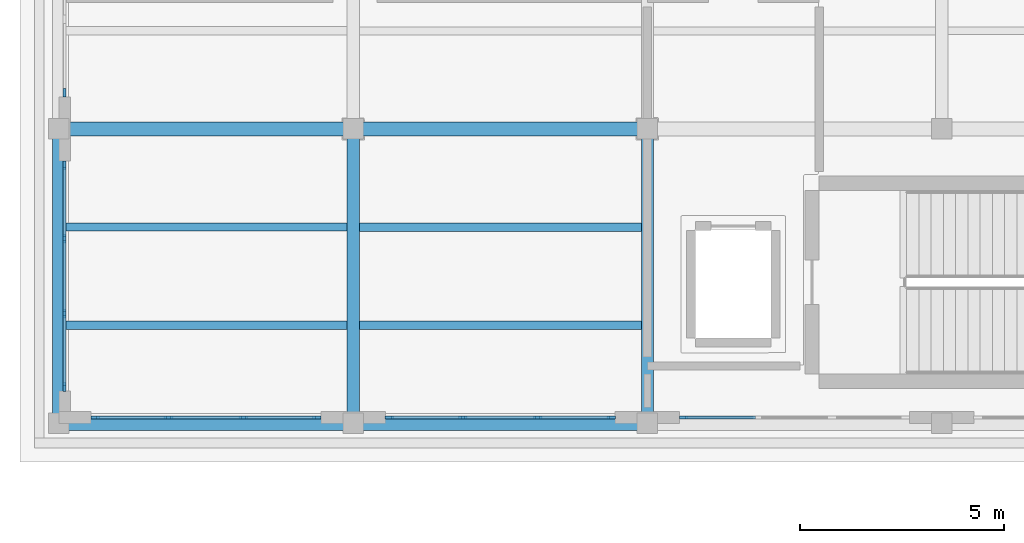
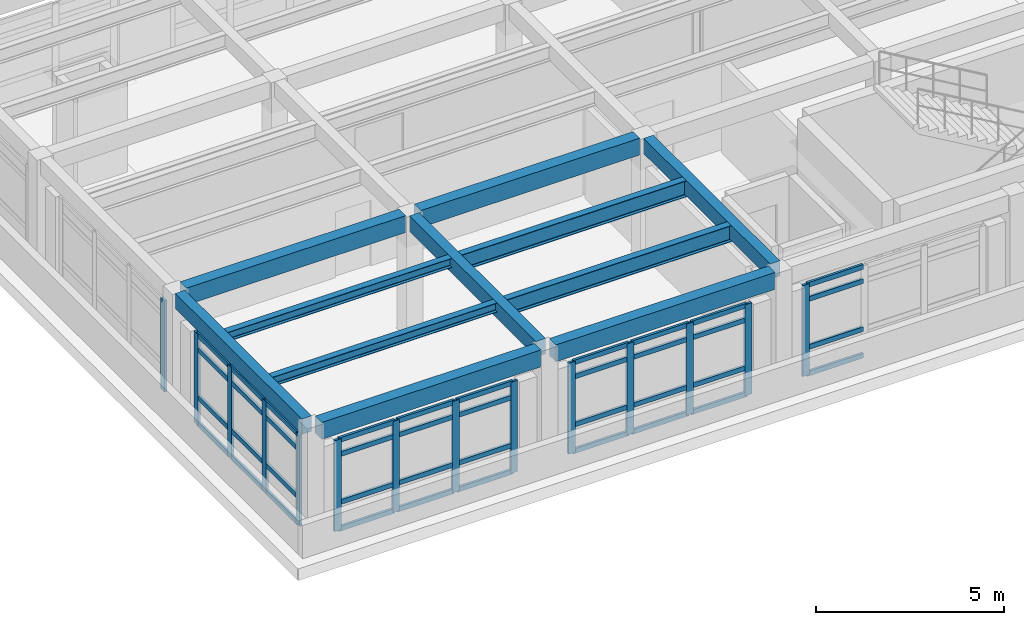
# One storey, part 2 of 20: 54 members, 11 beams, 5 elements without a shape of their own.
"""IFC4 building model written with IfcOpenShell, lengths in metres."""

from ifc_helpers import new_model, si_unit, direction, frame, origin, origin_2d, place, context, subcontext, project, spatial, rectangle, i_section, extrude, material, layer, layer_set, material_profile, profile_set, type_object, element, aggregate, save


model = new_model("IFC4")

# Units and contexts
model_context = context("Model", 3, precision=1e-05, world=origin(), true_north=direction((0.0, 1.0)))
body_context = subcontext(model_context, "Body", "Model", "MODEL_VIEW")
ifc_project = project(units=[si_unit("LENGTHUNIT", "METRE"), si_unit("AREAUNIT", "SQUARE_METRE"), si_unit("VOLUMEUNIT", "CUBIC_METRE"), si_unit("PLANEANGLEUNIT", "RADIAN"), si_unit("MASSUNIT", "GRAM", prefix="KILO")], contexts=[model_context])

# Site, building, storey
site_placement = place(None, origin())
site = spatial("IfcSite", under=ifc_project, at=site_placement, CompositionType="ELEMENT")
building_placement = place(site_placement, origin())
building = spatial("IfcBuilding", under=site, at=building_placement, Name="Solenvale Faculty of Natural Sciences", CompositionType="ELEMENT")
storey_placement = place(building_placement, frame((0.0, 0.0, 35.39990234375)))
storey = spatial("IfcBuildingStorey", under=building, at=storey_placement, Name="L08", CompositionType="ELEMENT", Elevation=35.39990234375)

# Beams
ifc_material_1 = material(Name="Concrete 40 MPa", Category="concrete")
ifc_material_profile_1 = material_profile(ifc_material_1, rectangle(XDim=0.300048828125, YDim=0.5, at=origin_2d()), Name="RC-BM-300x500")
ifc_profile_set_1 = profile_set([ifc_material_profile_1], Name="Concrete 40 MPa")
beam_type_1 = type_object("IfcBeamType", Name="BM-RC-300x500", PredefinedType="BEAM", material=ifc_profile_set_1)
for number, where, z_axis, x_axis, name in (
    (1, (86.39990234375, 93.830078125, 3.670166015625), (0.0, 1.0, 0.0), (-1.0, 0.0, 0.0), "L08 Y-Girder X86.4 (93.6..100.8)"),
    (2, (93.60009765625, 93.830078125, 3.670166015625), (0.0, 1.0, 0.0), (-1.0, 0.0, 0.0), "L08 Y-Girder X93.6 (93.6..100.8)"),
    (3, (100.800048828125, 93.830078125, 3.670166015625), (0.0, 1.0, 0.0), (-1.0, 0.0, 0.0), "L08 Y-Girder X100.8 (93.6..100.8)"),
):
    element("IfcBeam", number, at=place(storey_placement, frame(where, z_axis=z_axis, x_axis=x_axis)), inside=storey, type_object=beam_type_1, Name=name, PredefinedType="BEAM", context=body_context, shape_type="SweptSolid", body=[
        extrude(rectangle(XDim=0.300048828125, YDim=0.5, at=origin_2d()), origin(), (0.0, 0.0, 1.0), 6.739990234375),
    ])
ifc_material_profile_2 = material_profile(ifc_material_1, rectangle(XDim=0.35009765625, YDim=0.550048828125, at=origin_2d()), Name="RC-BM-350x550")
ifc_profile_set_2 = profile_set([ifc_material_profile_2], Name="Concrete 40 MPa")
beam_type_2 = type_object("IfcBeamType", Name="BM-RC-350x550", PredefinedType="BEAM", material=ifc_profile_set_2)
beam_1_placement = place(storey_placement, frame((86.6298828125, 93.60009765625, 3.64501953125), z_axis=(1.0, 0.0, 0.0), x_axis=(0.0, 1.0, 0.0)))
element("IfcBeam", 4, at=beam_1_placement, inside=storey, type_object=beam_type_2, Name="L08 X-Girder Y93.6 (86.4..93.6)", PredefinedType="BEAM", context=body_context, shape_type="SweptSolid", body=[
    extrude(rectangle(XDim=0.35009765625, YDim=0.550048828125, at=origin_2d()), origin(), (0.0, 0.0, 1.0), 6.740234375),
])
beam_2_placement = place(storey_placement, frame((93.830078125, 93.60009765625, 3.64501953125), z_axis=(1.0, 0.0, 0.0), x_axis=(0.0, 1.0, 0.0)))
element("IfcBeam", 5, at=beam_2_placement, inside=storey, type_object=beam_type_2, Name="L08 X-Girder Y93.6 (93.6..100.8)", PredefinedType="BEAM", context=body_context, shape_type="SweptSolid", body=[
    extrude(rectangle(XDim=0.35009765625, YDim=0.550048828125, at=origin_2d()), origin(), (0.0, 0.0, 1.0), 6.739990234375),
])
beam_3_placement = place(storey_placement, frame((86.6298828125, 100.800048828125, 3.64501953125), z_axis=(1.0, 0.0, 0.0), x_axis=(0.0, 1.0, 0.0)))
element("IfcBeam", 6, at=beam_3_placement, inside=storey, type_object=beam_type_2, Name="L08 X-Girder Y100.8 (86.4..93.6)", PredefinedType="BEAM", context=body_context, shape_type="SweptSolid", body=[
    extrude(rectangle(XDim=0.35009765625, YDim=0.550048828125, at=origin_2d()), origin(), (0.0, 0.0, 1.0), 6.740234375),
])
beam_4_placement = place(storey_placement, frame((93.830078125, 100.800048828125, 3.64501953125), z_axis=(1.0, 0.0, 0.0), x_axis=(0.0, 1.0, 0.0)))
element("IfcBeam", 7, at=beam_4_placement, inside=storey, type_object=beam_type_2, Name="L08 X-Girder Y100.8 (93.6..100.8)", PredefinedType="BEAM", context=body_context, shape_type="SweptSolid", body=[
    extrude(rectangle(XDim=0.35009765625, YDim=0.550048828125, at=origin_2d()), origin(), (0.0, 0.0, 1.0), 6.739990234375),
])
ifc_material_2 = material(Name="Steel S355", Category="steel")
ifc_material_profile_3 = material_profile(ifc_material_2, i_section(OverallWidth=0.202880859375, OverallDepth=0.302978515625, WebThickness=0.007568359375, FlangeThickness=0.01318359375, FilletRadius=0.014892578125, at=origin_2d()), Name="W310x60")
ifc_profile_set_3 = profile_set([ifc_material_profile_3], Name="Steel S355")
beam_type_3 = type_object("IfcBeamType", Name="BM-STL-W310x60", PredefinedType="JOIST", material=ifc_profile_set_3)
for number, where, z_axis, x_axis, name in (
    (8, (86.530029296875, 96.0, 3.7685546875), (1.0, 0.0, 0.0), (0.0, 1.0, 0.0), "L08 Composite Floor Joist (13,14).1"),
    (9, (86.530029296875, 98.39990234375, 3.7685546875), (1.0, 0.0, 0.0), (0.0, 1.0, 0.0), "L08 Composite Floor Joist (13,14).2"),
):
    element("IfcBeam", number, at=place(storey_placement, frame(where, z_axis=z_axis, x_axis=x_axis)), inside=storey, type_object=beam_type_3, Name=name, PredefinedType="JOIST", context=body_context, shape_type="SweptSolid", body=[
        extrude(i_section(OverallWidth=0.202880859375, OverallDepth=0.302978515625, WebThickness=0.007568359375, FlangeThickness=0.01318359375, FilletRadius=0.014892578125, at=origin_2d()), origin(), (0.0, 0.0, 1.0), 6.93994140625),
    ])
ifc_material_profile_4 = material_profile(ifc_material_2, i_section(OverallWidth=0.208984375, OverallDepth=0.532958984375, WebThickness=0.01025390625, FlangeThickness=0.015625, FilletRadius=0.01904296875, at=origin_2d()), Name="W530x92")
ifc_profile_set_4 = profile_set([ifc_material_profile_4], Name="Steel S355")
beam_type_4 = type_object("IfcBeamType", Name="BM-STL-W530x92", PredefinedType="JOIST", material=ifc_profile_set_4)
for number, where, z_axis, x_axis, name in (
    (10, (93.72998046875, 96.0, 3.653564453125), (1.0, 0.0, 0.0), (0.0, 1.0, 0.0), "L08 Composite Floor Joist (14,14).1"),
    (11, (93.72998046875, 98.39990234375, 3.653564453125), (1.0, 0.0, 0.0), (0.0, 1.0, 0.0), "L08 Composite Floor Joist (14,14).2"),
):
    element("IfcBeam", number, at=place(storey_placement, frame(where, z_axis=z_axis, x_axis=x_axis)), inside=storey, type_object=beam_type_4, Name=name, PredefinedType="JOIST", context=body_context, shape_type="SweptSolid", body=[
        extrude(i_section(OverallWidth=0.208984375, OverallDepth=0.532958984375, WebThickness=0.01025390625, FlangeThickness=0.015625, FilletRadius=0.01904296875, at=origin_2d()), origin(), (0.0, 0.0, 1.0), 6.93994140625),
    ])

# Curtain wall, member
ifc_material_3 = material(Name="Anodised bronze aluminium", Category="aluminium")
ifc_layer = layer(ifc_material_3, 0.179931640625)
ifc_layer_set = layer_set([ifc_layer], Name="Anodised bronze aluminium")
curtain_wall_type = type_object("IfcCurtainWallType", Name="CW-TWR-MOD", PredefinedType="USERDEFINED", material=ifc_layer_set)
curtain_wall_1_placement = place(storey_placement, origin())
curtain_wall_1 = element("IfcCurtainWall", 12, at=curtain_wall_1_placement, inside=storey, type_object=curtain_wall_type, Name="L08 Curtain Wall CW-L08-P1-E3-B2", ObjectType="UNITISED CURTAIN WALL", PredefinedType="USERDEFINED")
ifc_material_profile_5 = material_profile(ifc_material_3, rectangle(XDim=0.074951171875, YDim=0.2099609375, at=origin_2d()), Name="ALU-MUL-75x210")
ifc_profile_set_5 = profile_set([ifc_material_profile_5], Name="Anodised bronze aluminium")
member_type_1 = type_object("IfcMemberType", Name="CWM-ALU-75x210", PredefinedType="MULLION", material=ifc_profile_set_5)
member_1_placement = place(storey_placement, frame((86.54248046875, 101.6875, 0.0), z_axis=(0.0, 0.0, 1.0), x_axis=(1.0, 0.0, 0.0)))
member_1 = element("IfcMember", 13, at=member_1_placement, type_object=member_type_1, Name="CW-04 mullion 4", PredefinedType="MULLION", context=body_context, shape_type="SweptSolid", body=[
    extrude(rectangle(XDim=0.074951171875, YDim=0.2099609375, at=origin_2d()), origin(), (0.0, 0.0, 1.0), 2.960205078125),
])
aggregate(curtain_wall_1, [member_1])

# Curtain wall, members
curtain_wall_2_placement = place(storey_placement, origin())
curtain_wall_2 = element("IfcCurtainWall", 14, at=curtain_wall_2_placement, inside=storey, type_object=curtain_wall_type, Name="L08 Curtain Wall CW-L08-P1-E3-B3", ObjectType="UNITISED CURTAIN WALL", PredefinedType="USERDEFINED")
member_2_placement = place(storey_placement, frame((86.54248046875, 99.91259765625, 0.0), z_axis=(0.0, 0.0, 1.0), x_axis=(1.0, 0.0, 0.0)))
member_2 = element("IfcMember", 15, at=member_2_placement, type_object=member_type_1, Name="CW-04 mullion 1", PredefinedType="MULLION", context=body_context, shape_type="SweptSolid", body=[
    extrude(rectangle(XDim=0.074951171875, YDim=0.2099609375, at=origin_2d()), origin(), (0.0, 0.0, 1.0), 2.960205078125),
])
member_3_placement = place(storey_placement, frame((86.54248046875, 98.11669921875, 0.0), z_axis=(0.0, 0.0, 1.0), x_axis=(1.0, 0.0, 0.0)))
member_3 = element("IfcMember", 16, at=member_3_placement, type_object=member_type_1, Name="CW-04 mullion 2", PredefinedType="MULLION", context=body_context, shape_type="SweptSolid", body=[
    extrude(rectangle(XDim=0.074951171875, YDim=0.2099609375, at=origin_2d()), origin(), (0.0, 0.0, 1.0), 2.960205078125),
])
member_4_placement = place(storey_placement, frame((86.54248046875, 96.283447265625, 0.0), z_axis=(0.0, 0.0, 1.0), x_axis=(1.0, 0.0, 0.0)))
member_4 = element("IfcMember", 17, at=member_4_placement, type_object=member_type_1, Name="CW-04 mullion 3", PredefinedType="MULLION", context=body_context, shape_type="SweptSolid", body=[
    extrude(rectangle(XDim=0.074951171875, YDim=0.2099609375, at=origin_2d()), origin(), (0.0, 0.0, 1.0), 2.960205078125),
])
member_5_placement = place(storey_placement, frame((86.54248046875, 94.487548828125, 0.0), z_axis=(0.0, 0.0, 1.0), x_axis=(1.0, 0.0, 0.0)))
member_5 = element("IfcMember", 18, at=member_5_placement, type_object=member_type_1, Name="CW-04 mullion 4", PredefinedType="MULLION", context=body_context, shape_type="SweptSolid", body=[
    extrude(rectangle(XDim=0.074951171875, YDim=0.2099609375, at=origin_2d()), origin(), (0.0, 0.0, 1.0), 2.960205078125),
])

curtain_wall_3_placement = place(storey_placement, origin())
curtain_wall_3 = element("IfcCurtainWall", 19, at=curtain_wall_3_placement, inside=storey, type_object=curtain_wall_type, Name="L08 Curtain Wall CW-L08-P1-E4-B1", ObjectType="UNITISED CURTAIN WALL", PredefinedType="USERDEFINED")
member_6_placement = place(storey_placement, frame((87.28759765625, 93.742431640625, 0.0), z_axis=(0.0, 0.0, 1.0), x_axis=(0.0, 1.0, 0.0)))
member_6 = element("IfcMember", 20, at=member_6_placement, type_object=member_type_1, Name="CW-04 mullion 1", PredefinedType="MULLION", context=body_context, shape_type="SweptSolid", body=[
    extrude(rectangle(XDim=0.074951171875, YDim=0.2099609375, at=origin_2d()), origin(), (0.0, 0.0, 1.0), 2.960205078125),
])
member_7_placement = place(storey_placement, frame((89.083251953125, 93.742431640625, 0.0), z_axis=(0.0, 0.0, 1.0), x_axis=(0.0, 1.0, 0.0)))
member_7 = element("IfcMember", 21, at=member_7_placement, type_object=member_type_1, Name="CW-04 mullion 2", PredefinedType="MULLION", context=body_context, shape_type="SweptSolid", body=[
    extrude(rectangle(XDim=0.074951171875, YDim=0.2099609375, at=origin_2d()), origin(), (0.0, 0.0, 1.0), 2.960205078125),
])
member_8_placement = place(storey_placement, frame((90.916748046875, 93.742431640625, 0.0), z_axis=(0.0, 0.0, 1.0), x_axis=(0.0, 1.0, 0.0)))
member_8 = element("IfcMember", 22, at=member_8_placement, type_object=member_type_1, Name="CW-04 mullion 3", PredefinedType="MULLION", context=body_context, shape_type="SweptSolid", body=[
    extrude(rectangle(XDim=0.074951171875, YDim=0.2099609375, at=origin_2d()), origin(), (0.0, 0.0, 1.0), 2.960205078125),
])
member_9_placement = place(storey_placement, frame((92.71240234375, 93.742431640625, 0.0), z_axis=(0.0, 0.0, 1.0), x_axis=(0.0, 1.0, 0.0)))
member_9 = element("IfcMember", 23, at=member_9_placement, type_object=member_type_1, Name="CW-04 mullion 4", PredefinedType="MULLION", context=body_context, shape_type="SweptSolid", body=[
    extrude(rectangle(XDim=0.074951171875, YDim=0.2099609375, at=origin_2d()), origin(), (0.0, 0.0, 1.0), 2.960205078125),
])

curtain_wall_4_placement = place(storey_placement, origin())
curtain_wall_4 = element("IfcCurtainWall", 24, at=curtain_wall_4_placement, inside=storey, type_object=curtain_wall_type, Name="L08 Curtain Wall CW-L08-P1-E4-B2", ObjectType="UNITISED CURTAIN WALL", PredefinedType="USERDEFINED")
member_10_placement = place(storey_placement, frame((94.487548828125, 93.742431640625, 0.0), z_axis=(0.0, 0.0, 1.0), x_axis=(0.0, 1.0, 0.0)))
member_10 = element("IfcMember", 25, at=member_10_placement, type_object=member_type_1, Name="CW-04 mullion 1", PredefinedType="MULLION", context=body_context, shape_type="SweptSolid", body=[
    extrude(rectangle(XDim=0.074951171875, YDim=0.2099609375, at=origin_2d()), origin(), (0.0, 0.0, 1.0), 2.960205078125),
])
member_11_placement = place(storey_placement, frame((96.283447265625, 93.742431640625, 0.0), z_axis=(0.0, 0.0, 1.0), x_axis=(0.0, 1.0, 0.0)))
member_11 = element("IfcMember", 26, at=member_11_placement, type_object=member_type_1, Name="CW-04 mullion 2", PredefinedType="MULLION", context=body_context, shape_type="SweptSolid", body=[
    extrude(rectangle(XDim=0.074951171875, YDim=0.2099609375, at=origin_2d()), origin(), (0.0, 0.0, 1.0), 2.960205078125),
])
member_12_placement = place(storey_placement, frame((98.11669921875, 93.742431640625, 0.0), z_axis=(0.0, 0.0, 1.0), x_axis=(0.0, 1.0, 0.0)))
member_12 = element("IfcMember", 27, at=member_12_placement, type_object=member_type_1, Name="CW-04 mullion 3", PredefinedType="MULLION", context=body_context, shape_type="SweptSolid", body=[
    extrude(rectangle(XDim=0.074951171875, YDim=0.2099609375, at=origin_2d()), origin(), (0.0, 0.0, 1.0), 2.960205078125),
])
member_13_placement = place(storey_placement, frame((99.91259765625, 93.742431640625, 0.0), z_axis=(0.0, 0.0, 1.0), x_axis=(0.0, 1.0, 0.0)))
member_13 = element("IfcMember", 28, at=member_13_placement, type_object=member_type_1, Name="CW-04 mullion 4", PredefinedType="MULLION", context=body_context, shape_type="SweptSolid", body=[
    extrude(rectangle(XDim=0.074951171875, YDim=0.2099609375, at=origin_2d()), origin(), (0.0, 0.0, 1.0), 2.960205078125),
])

# Curtain wall, member
curtain_wall_5_placement = place(storey_placement, origin())
curtain_wall_5 = element("IfcCurtainWall", 29, at=curtain_wall_5_placement, inside=storey, type_object=curtain_wall_type, Name="L08 Curtain Wall CW-L08-P1-E4-B3", ObjectType="UNITISED CURTAIN WALL", PredefinedType="USERDEFINED")
member_14_placement = place(storey_placement, frame((101.6875, 93.742431640625, 0.0), z_axis=(0.0, 0.0, 1.0), x_axis=(0.0, 1.0, 0.0)))
member_14 = element("IfcMember", 30, at=member_14_placement, type_object=member_type_1, Name="CW-04 mullion 1", PredefinedType="MULLION", context=body_context, shape_type="SweptSolid", body=[
    extrude(rectangle(XDim=0.074951171875, YDim=0.2099609375, at=origin_2d()), origin(), (0.0, 0.0, 1.0), 2.960205078125),
])

# Member
ifc_material_profile_6 = material_profile(ifc_material_3, rectangle(XDim=0.074951171875, YDim=0.155029296875, at=origin_2d()), Name="ALU-TRN-75x155")
ifc_profile_set_6 = profile_set([ifc_material_profile_6], Name="Anodised bronze aluminium")
member_type_2 = type_object("IfcMemberType", Name="CWT-ALU-75x155", PredefinedType="USERDEFINED", material=ifc_profile_set_6)
member_15_placement = place(storey_placement, frame((86.54248046875, 99.875, 0.03759765625), z_axis=(0.0, -1.0, 0.0), x_axis=(1.0, 0.0, 0.0)))
member_15 = element("IfcMember", 31, at=member_15_placement, type_object=member_type_2, Name="CW-04 transom 1.1", ObjectType="TRANSOM", PredefinedType="USERDEFINED", context=body_context, shape_type="SweptSolid", body=[
    extrude(rectangle(XDim=0.074951171875, YDim=0.155029296875, at=origin_2d()), origin(), (0.0, 0.0, 1.0), 1.720947265625),
])

member_16_placement = place(storey_placement, frame((86.54248046875, 99.875, 0.900146484375), z_axis=(0.0, -1.0, 0.0), x_axis=(1.0, 0.0, 0.0)))
member_16 = element("IfcMember", 32, at=member_16_placement, type_object=member_type_2, Name="CW-04 transom 1.2", ObjectType="TRANSOM", PredefinedType="USERDEFINED", context=body_context, shape_type="SweptSolid", body=[
    extrude(rectangle(XDim=0.074951171875, YDim=0.155029296875, at=origin_2d()), origin(), (0.0, 0.0, 1.0), 1.720947265625),
])

member_17_placement = place(storey_placement, frame((86.54248046875, 99.875, 2.460205078125), z_axis=(0.0, -1.0, 0.0), x_axis=(1.0, 0.0, 0.0)))
member_17 = element("IfcMember", 33, at=member_17_placement, type_object=member_type_2, Name="CW-04 transom 1.3", ObjectType="TRANSOM", PredefinedType="USERDEFINED", context=body_context, shape_type="SweptSolid", body=[
    extrude(rectangle(XDim=0.074951171875, YDim=0.155029296875, at=origin_2d()), origin(), (0.0, 0.0, 1.0), 1.720947265625),
])

member_18_placement = place(storey_placement, frame((86.54248046875, 99.875, 2.922607421875), z_axis=(0.0, -1.0, 0.0), x_axis=(1.0, 0.0, 0.0)))
member_18 = element("IfcMember", 34, at=member_18_placement, type_object=member_type_2, Name="CW-04 transom 1.4", ObjectType="TRANSOM", PredefinedType="USERDEFINED", context=body_context, shape_type="SweptSolid", body=[
    extrude(rectangle(XDim=0.074951171875, YDim=0.155029296875, at=origin_2d()), origin(), (0.0, 0.0, 1.0), 1.720947265625),
])

member_19_placement = place(storey_placement, frame((86.54248046875, 98.0791015625, 0.03759765625), z_axis=(0.0, -1.0, 0.0), x_axis=(1.0, 0.0, 0.0)))
member_19 = element("IfcMember", 35, at=member_19_placement, type_object=member_type_2, Name="CW-04 transom 2.1", ObjectType="TRANSOM", PredefinedType="USERDEFINED", context=body_context, shape_type="SweptSolid", body=[
    extrude(rectangle(XDim=0.074951171875, YDim=0.155029296875, at=origin_2d()), origin(), (0.0, 0.0, 1.0), 1.75830078125),
])

member_20_placement = place(storey_placement, frame((86.54248046875, 98.0791015625, 0.900146484375), z_axis=(0.0, -1.0, 0.0), x_axis=(1.0, 0.0, 0.0)))
member_20 = element("IfcMember", 36, at=member_20_placement, type_object=member_type_2, Name="CW-04 transom 2.2", ObjectType="TRANSOM", PredefinedType="USERDEFINED", context=body_context, shape_type="SweptSolid", body=[
    extrude(rectangle(XDim=0.074951171875, YDim=0.155029296875, at=origin_2d()), origin(), (0.0, 0.0, 1.0), 1.75830078125),
])

member_21_placement = place(storey_placement, frame((86.54248046875, 98.0791015625, 2.460205078125), z_axis=(0.0, -1.0, 0.0), x_axis=(1.0, 0.0, 0.0)))
member_21 = element("IfcMember", 37, at=member_21_placement, type_object=member_type_2, Name="CW-04 transom 2.3", ObjectType="TRANSOM", PredefinedType="USERDEFINED", context=body_context, shape_type="SweptSolid", body=[
    extrude(rectangle(XDim=0.074951171875, YDim=0.155029296875, at=origin_2d()), origin(), (0.0, 0.0, 1.0), 1.75830078125),
])

member_22_placement = place(storey_placement, frame((86.54248046875, 98.0791015625, 2.922607421875), z_axis=(0.0, -1.0, 0.0), x_axis=(1.0, 0.0, 0.0)))
member_22 = element("IfcMember", 38, at=member_22_placement, type_object=member_type_2, Name="CW-04 transom 2.4", ObjectType="TRANSOM", PredefinedType="USERDEFINED", context=body_context, shape_type="SweptSolid", body=[
    extrude(rectangle(XDim=0.074951171875, YDim=0.155029296875, at=origin_2d()), origin(), (0.0, 0.0, 1.0), 1.75830078125),
])

member_23_placement = place(storey_placement, frame((86.54248046875, 96.245849609375, 0.03759765625), z_axis=(0.0, -1.0, 0.0), x_axis=(1.0, 0.0, 0.0)))
member_23 = element("IfcMember", 39, at=member_23_placement, type_object=member_type_2, Name="CW-04 transom 3.1", ObjectType="TRANSOM", PredefinedType="USERDEFINED", context=body_context, shape_type="SweptSolid", body=[
    extrude(rectangle(XDim=0.074951171875, YDim=0.155029296875, at=origin_2d()), origin(), (0.0, 0.0, 1.0), 1.720947265625),
])

member_24_placement = place(storey_placement, frame((86.54248046875, 96.245849609375, 0.900146484375), z_axis=(0.0, -1.0, 0.0), x_axis=(1.0, 0.0, 0.0)))
member_24 = element("IfcMember", 40, at=member_24_placement, type_object=member_type_2, Name="CW-04 transom 3.2", ObjectType="TRANSOM", PredefinedType="USERDEFINED", context=body_context, shape_type="SweptSolid", body=[
    extrude(rectangle(XDim=0.074951171875, YDim=0.155029296875, at=origin_2d()), origin(), (0.0, 0.0, 1.0), 1.720947265625),
])

member_25_placement = place(storey_placement, frame((86.54248046875, 96.245849609375, 2.460205078125), z_axis=(0.0, -1.0, 0.0), x_axis=(1.0, 0.0, 0.0)))
member_25 = element("IfcMember", 41, at=member_25_placement, type_object=member_type_2, Name="CW-04 transom 3.3", ObjectType="TRANSOM", PredefinedType="USERDEFINED", context=body_context, shape_type="SweptSolid", body=[
    extrude(rectangle(XDim=0.074951171875, YDim=0.155029296875, at=origin_2d()), origin(), (0.0, 0.0, 1.0), 1.720947265625),
])

member_26_placement = place(storey_placement, frame((86.54248046875, 96.245849609375, 2.922607421875), z_axis=(0.0, -1.0, 0.0), x_axis=(1.0, 0.0, 0.0)))
member_26 = element("IfcMember", 42, at=member_26_placement, type_object=member_type_2, Name="CW-04 transom 3.4", ObjectType="TRANSOM", PredefinedType="USERDEFINED", context=body_context, shape_type="SweptSolid", body=[
    extrude(rectangle(XDim=0.074951171875, YDim=0.155029296875, at=origin_2d()), origin(), (0.0, 0.0, 1.0), 1.720947265625),
])

aggregate(curtain_wall_2, [member_2, member_3, member_4, member_5, member_15, member_16, member_17, member_18, member_19, member_20, member_21, member_22, member_23, member_24, member_25, member_26])

member_27_placement = place(storey_placement, frame((87.324951171875, 93.742431640625, 0.03759765625), z_axis=(1.0, 0.0, 0.0), x_axis=(0.0, 1.0, 0.0)))
member_27 = element("IfcMember", 43, at=member_27_placement, type_object=member_type_2, Name="CW-04 transom 1.1", ObjectType="TRANSOM", PredefinedType="USERDEFINED", context=body_context, shape_type="SweptSolid", body=[
    extrude(rectangle(XDim=0.074951171875, YDim=0.155029296875, at=origin_2d()), origin(), (0.0, 0.0, 1.0), 1.720947265625),
])

member_28_placement = place(storey_placement, frame((87.324951171875, 93.742431640625, 0.900146484375), z_axis=(1.0, 0.0, 0.0), x_axis=(0.0, 1.0, 0.0)))
member_28 = element("IfcMember", 44, at=member_28_placement, type_object=member_type_2, Name="CW-04 transom 1.2", ObjectType="TRANSOM", PredefinedType="USERDEFINED", context=body_context, shape_type="SweptSolid", body=[
    extrude(rectangle(XDim=0.074951171875, YDim=0.155029296875, at=origin_2d()), origin(), (0.0, 0.0, 1.0), 1.720947265625),
])

member_29_placement = place(storey_placement, frame((87.324951171875, 93.742431640625, 2.460205078125), z_axis=(1.0, 0.0, 0.0), x_axis=(0.0, 1.0, 0.0)))
member_29 = element("IfcMember", 45, at=member_29_placement, type_object=member_type_2, Name="CW-04 transom 1.3", ObjectType="TRANSOM", PredefinedType="USERDEFINED", context=body_context, shape_type="SweptSolid", body=[
    extrude(rectangle(XDim=0.074951171875, YDim=0.155029296875, at=origin_2d()), origin(), (0.0, 0.0, 1.0), 1.720947265625),
])

member_30_placement = place(storey_placement, frame((87.324951171875, 93.742431640625, 2.922607421875), z_axis=(1.0, 0.0, 0.0), x_axis=(0.0, 1.0, 0.0)))
member_30 = element("IfcMember", 46, at=member_30_placement, type_object=member_type_2, Name="CW-04 transom 1.4", ObjectType="TRANSOM", PredefinedType="USERDEFINED", context=body_context, shape_type="SweptSolid", body=[
    extrude(rectangle(XDim=0.074951171875, YDim=0.155029296875, at=origin_2d()), origin(), (0.0, 0.0, 1.0), 1.720947265625),
])

member_31_placement = place(storey_placement, frame((89.120849609375, 93.742431640625, 0.03759765625), z_axis=(1.0, 0.0, 0.0), x_axis=(0.0, 1.0, 0.0)))
member_31 = element("IfcMember", 47, at=member_31_placement, type_object=member_type_2, Name="CW-04 transom 2.1", ObjectType="TRANSOM", PredefinedType="USERDEFINED", context=body_context, shape_type="SweptSolid", body=[
    extrude(rectangle(XDim=0.074951171875, YDim=0.155029296875, at=origin_2d()), origin(), (0.0, 0.0, 1.0), 1.75830078125),
])

member_32_placement = place(storey_placement, frame((89.120849609375, 93.742431640625, 0.900146484375), z_axis=(1.0, 0.0, 0.0), x_axis=(0.0, 1.0, 0.0)))
member_32 = element("IfcMember", 48, at=member_32_placement, type_object=member_type_2, Name="CW-04 transom 2.2", ObjectType="TRANSOM", PredefinedType="USERDEFINED", context=body_context, shape_type="SweptSolid", body=[
    extrude(rectangle(XDim=0.074951171875, YDim=0.155029296875, at=origin_2d()), origin(), (0.0, 0.0, 1.0), 1.75830078125),
])

member_33_placement = place(storey_placement, frame((89.120849609375, 93.742431640625, 2.460205078125), z_axis=(1.0, 0.0, 0.0), x_axis=(0.0, 1.0, 0.0)))
member_33 = element("IfcMember", 49, at=member_33_placement, type_object=member_type_2, Name="CW-04 transom 2.3", ObjectType="TRANSOM", PredefinedType="USERDEFINED", context=body_context, shape_type="SweptSolid", body=[
    extrude(rectangle(XDim=0.074951171875, YDim=0.155029296875, at=origin_2d()), origin(), (0.0, 0.0, 1.0), 1.75830078125),
])

member_34_placement = place(storey_placement, frame((89.120849609375, 93.742431640625, 2.922607421875), z_axis=(1.0, 0.0, 0.0), x_axis=(0.0, 1.0, 0.0)))
member_34 = element("IfcMember", 50, at=member_34_placement, type_object=member_type_2, Name="CW-04 transom 2.4", ObjectType="TRANSOM", PredefinedType="USERDEFINED", context=body_context, shape_type="SweptSolid", body=[
    extrude(rectangle(XDim=0.074951171875, YDim=0.155029296875, at=origin_2d()), origin(), (0.0, 0.0, 1.0), 1.75830078125),
])

member_35_placement = place(storey_placement, frame((90.9541015625, 93.742431640625, 0.03759765625), z_axis=(1.0, 0.0, 0.0), x_axis=(0.0, 1.0, 0.0)))
member_35 = element("IfcMember", 51, at=member_35_placement, type_object=member_type_2, Name="CW-04 transom 3.1", ObjectType="TRANSOM", PredefinedType="USERDEFINED", context=body_context, shape_type="SweptSolid", body=[
    extrude(rectangle(XDim=0.074951171875, YDim=0.155029296875, at=origin_2d()), origin(), (0.0, 0.0, 1.0), 1.720947265625),
])

member_36_placement = place(storey_placement, frame((90.9541015625, 93.742431640625, 0.900146484375), z_axis=(1.0, 0.0, 0.0), x_axis=(0.0, 1.0, 0.0)))
member_36 = element("IfcMember", 52, at=member_36_placement, type_object=member_type_2, Name="CW-04 transom 3.2", ObjectType="TRANSOM", PredefinedType="USERDEFINED", context=body_context, shape_type="SweptSolid", body=[
    extrude(rectangle(XDim=0.074951171875, YDim=0.155029296875, at=origin_2d()), origin(), (0.0, 0.0, 1.0), 1.720947265625),
])

member_37_placement = place(storey_placement, frame((90.9541015625, 93.742431640625, 2.460205078125), z_axis=(1.0, 0.0, 0.0), x_axis=(0.0, 1.0, 0.0)))
member_37 = element("IfcMember", 53, at=member_37_placement, type_object=member_type_2, Name="CW-04 transom 3.3", ObjectType="TRANSOM", PredefinedType="USERDEFINED", context=body_context, shape_type="SweptSolid", body=[
    extrude(rectangle(XDim=0.074951171875, YDim=0.155029296875, at=origin_2d()), origin(), (0.0, 0.0, 1.0), 1.720947265625),
])

member_38_placement = place(storey_placement, frame((90.9541015625, 93.742431640625, 2.922607421875), z_axis=(1.0, 0.0, 0.0), x_axis=(0.0, 1.0, 0.0)))
member_38 = element("IfcMember", 54, at=member_38_placement, type_object=member_type_2, Name="CW-04 transom 3.4", ObjectType="TRANSOM", PredefinedType="USERDEFINED", context=body_context, shape_type="SweptSolid", body=[
    extrude(rectangle(XDim=0.074951171875, YDim=0.155029296875, at=origin_2d()), origin(), (0.0, 0.0, 1.0), 1.720947265625),
])

aggregate(curtain_wall_3, [member_6, member_7, member_8, member_9, member_27, member_28, member_29, member_30, member_31, member_32, member_33, member_34, member_35, member_36, member_37, member_38])

member_39_placement = place(storey_placement, frame((94.52490234375, 93.742431640625, 0.03759765625), z_axis=(1.0, 0.0, 0.0), x_axis=(0.0, 1.0, 0.0)))
member_39 = element("IfcMember", 55, at=member_39_placement, type_object=member_type_2, Name="CW-04 transom 1.1", ObjectType="TRANSOM", PredefinedType="USERDEFINED", context=body_context, shape_type="SweptSolid", body=[
    extrude(rectangle(XDim=0.074951171875, YDim=0.155029296875, at=origin_2d()), origin(), (0.0, 0.0, 1.0), 1.720947265625),
])

member_40_placement = place(storey_placement, frame((94.52490234375, 93.742431640625, 0.900146484375), z_axis=(1.0, 0.0, 0.0), x_axis=(0.0, 1.0, 0.0)))
member_40 = element("IfcMember", 56, at=member_40_placement, type_object=member_type_2, Name="CW-04 transom 1.2", ObjectType="TRANSOM", PredefinedType="USERDEFINED", context=body_context, shape_type="SweptSolid", body=[
    extrude(rectangle(XDim=0.074951171875, YDim=0.155029296875, at=origin_2d()), origin(), (0.0, 0.0, 1.0), 1.720947265625),
])

member_41_placement = place(storey_placement, frame((94.52490234375, 93.742431640625, 2.460205078125), z_axis=(1.0, 0.0, 0.0), x_axis=(0.0, 1.0, 0.0)))
member_41 = element("IfcMember", 57, at=member_41_placement, type_object=member_type_2, Name="CW-04 transom 1.3", ObjectType="TRANSOM", PredefinedType="USERDEFINED", context=body_context, shape_type="SweptSolid", body=[
    extrude(rectangle(XDim=0.074951171875, YDim=0.155029296875, at=origin_2d()), origin(), (0.0, 0.0, 1.0), 1.720947265625),
])

member_42_placement = place(storey_placement, frame((94.52490234375, 93.742431640625, 2.922607421875), z_axis=(1.0, 0.0, 0.0), x_axis=(0.0, 1.0, 0.0)))
member_42 = element("IfcMember", 58, at=member_42_placement, type_object=member_type_2, Name="CW-04 transom 1.4", ObjectType="TRANSOM", PredefinedType="USERDEFINED", context=body_context, shape_type="SweptSolid", body=[
    extrude(rectangle(XDim=0.074951171875, YDim=0.155029296875, at=origin_2d()), origin(), (0.0, 0.0, 1.0), 1.720947265625),
])

member_43_placement = place(storey_placement, frame((96.32080078125, 93.742431640625, 0.03759765625), z_axis=(1.0, 0.0, 0.0), x_axis=(0.0, 1.0, 0.0)))
member_43 = element("IfcMember", 59, at=member_43_placement, type_object=member_type_2, Name="CW-04 transom 2.1", ObjectType="TRANSOM", PredefinedType="USERDEFINED", context=body_context, shape_type="SweptSolid", body=[
    extrude(rectangle(XDim=0.074951171875, YDim=0.155029296875, at=origin_2d()), origin(), (0.0, 0.0, 1.0), 1.75830078125),
])

member_44_placement = place(storey_placement, frame((96.32080078125, 93.742431640625, 0.900146484375), z_axis=(1.0, 0.0, 0.0), x_axis=(0.0, 1.0, 0.0)))
member_44 = element("IfcMember", 60, at=member_44_placement, type_object=member_type_2, Name="CW-04 transom 2.2", ObjectType="TRANSOM", PredefinedType="USERDEFINED", context=body_context, shape_type="SweptSolid", body=[
    extrude(rectangle(XDim=0.074951171875, YDim=0.155029296875, at=origin_2d()), origin(), (0.0, 0.0, 1.0), 1.75830078125),
])

member_45_placement = place(storey_placement, frame((96.32080078125, 93.742431640625, 2.460205078125), z_axis=(1.0, 0.0, 0.0), x_axis=(0.0, 1.0, 0.0)))
member_45 = element("IfcMember", 61, at=member_45_placement, type_object=member_type_2, Name="CW-04 transom 2.3", ObjectType="TRANSOM", PredefinedType="USERDEFINED", context=body_context, shape_type="SweptSolid", body=[
    extrude(rectangle(XDim=0.074951171875, YDim=0.155029296875, at=origin_2d()), origin(), (0.0, 0.0, 1.0), 1.75830078125),
])

member_46_placement = place(storey_placement, frame((96.32080078125, 93.742431640625, 2.922607421875), z_axis=(1.0, 0.0, 0.0), x_axis=(0.0, 1.0, 0.0)))
member_46 = element("IfcMember", 62, at=member_46_placement, type_object=member_type_2, Name="CW-04 transom 2.4", ObjectType="TRANSOM", PredefinedType="USERDEFINED", context=body_context, shape_type="SweptSolid", body=[
    extrude(rectangle(XDim=0.074951171875, YDim=0.155029296875, at=origin_2d()), origin(), (0.0, 0.0, 1.0), 1.75830078125),
])

member_47_placement = place(storey_placement, frame((98.154052734375, 93.742431640625, 0.03759765625), z_axis=(1.0, 0.0, 0.0), x_axis=(0.0, 1.0, 0.0)))
member_47 = element("IfcMember", 63, at=member_47_placement, type_object=member_type_2, Name="CW-04 transom 3.1", ObjectType="TRANSOM", PredefinedType="USERDEFINED", context=body_context, shape_type="SweptSolid", body=[
    extrude(rectangle(XDim=0.074951171875, YDim=0.155029296875, at=origin_2d()), origin(), (0.0, 0.0, 1.0), 1.720947265625),
])

member_48_placement = place(storey_placement, frame((98.154052734375, 93.742431640625, 0.900146484375), z_axis=(1.0, 0.0, 0.0), x_axis=(0.0, 1.0, 0.0)))
member_48 = element("IfcMember", 64, at=member_48_placement, type_object=member_type_2, Name="CW-04 transom 3.2", ObjectType="TRANSOM", PredefinedType="USERDEFINED", context=body_context, shape_type="SweptSolid", body=[
    extrude(rectangle(XDim=0.074951171875, YDim=0.155029296875, at=origin_2d()), origin(), (0.0, 0.0, 1.0), 1.720947265625),
])

member_49_placement = place(storey_placement, frame((98.154052734375, 93.742431640625, 2.460205078125), z_axis=(1.0, 0.0, 0.0), x_axis=(0.0, 1.0, 0.0)))
member_49 = element("IfcMember", 65, at=member_49_placement, type_object=member_type_2, Name="CW-04 transom 3.3", ObjectType="TRANSOM", PredefinedType="USERDEFINED", context=body_context, shape_type="SweptSolid", body=[
    extrude(rectangle(XDim=0.074951171875, YDim=0.155029296875, at=origin_2d()), origin(), (0.0, 0.0, 1.0), 1.720947265625),
])

member_50_placement = place(storey_placement, frame((98.154052734375, 93.742431640625, 2.922607421875), z_axis=(1.0, 0.0, 0.0), x_axis=(0.0, 1.0, 0.0)))
member_50 = element("IfcMember", 66, at=member_50_placement, type_object=member_type_2, Name="CW-04 transom 3.4", ObjectType="TRANSOM", PredefinedType="USERDEFINED", context=body_context, shape_type="SweptSolid", body=[
    extrude(rectangle(XDim=0.074951171875, YDim=0.155029296875, at=origin_2d()), origin(), (0.0, 0.0, 1.0), 1.720947265625),
])

aggregate(curtain_wall_4, [member_10, member_11, member_12, member_13, member_39, member_40, member_41, member_42, member_43, member_44, member_45, member_46, member_47, member_48, member_49, member_50])

member_51_placement = place(storey_placement, frame((101.72509765625, 93.742431640625, 0.03759765625), z_axis=(1.0, 0.0, 0.0), x_axis=(0.0, 1.0, 0.0)))
member_51 = element("IfcMember", 67, at=member_51_placement, type_object=member_type_2, Name="CW-04 transom 1.1", ObjectType="TRANSOM", PredefinedType="USERDEFINED", context=body_context, shape_type="SweptSolid", body=[
    extrude(rectangle(XDim=0.074951171875, YDim=0.155029296875, at=origin_2d()), origin(), (0.0, 0.0, 1.0), 1.720703125),
])

member_52_placement = place(storey_placement, frame((101.72509765625, 93.742431640625, 0.900146484375), z_axis=(1.0, 0.0, 0.0), x_axis=(0.0, 1.0, 0.0)))
member_52 = element("IfcMember", 68, at=member_52_placement, type_object=member_type_2, Name="CW-04 transom 1.2", ObjectType="TRANSOM", PredefinedType="USERDEFINED", context=body_context, shape_type="SweptSolid", body=[
    extrude(rectangle(XDim=0.074951171875, YDim=0.155029296875, at=origin_2d()), origin(), (0.0, 0.0, 1.0), 1.720703125),
])

member_53_placement = place(storey_placement, frame((101.72509765625, 93.742431640625, 2.460205078125), z_axis=(1.0, 0.0, 0.0), x_axis=(0.0, 1.0, 0.0)))
member_53 = element("IfcMember", 69, at=member_53_placement, type_object=member_type_2, Name="CW-04 transom 1.3", ObjectType="TRANSOM", PredefinedType="USERDEFINED", context=body_context, shape_type="SweptSolid", body=[
    extrude(rectangle(XDim=0.074951171875, YDim=0.155029296875, at=origin_2d()), origin(), (0.0, 0.0, 1.0), 1.720703125),
])

member_54_placement = place(storey_placement, frame((101.72509765625, 93.742431640625, 2.922607421875), z_axis=(1.0, 0.0, 0.0), x_axis=(0.0, 1.0, 0.0)))
member_54 = element("IfcMember", 70, at=member_54_placement, type_object=member_type_2, Name="CW-04 transom 1.4", ObjectType="TRANSOM", PredefinedType="USERDEFINED", context=body_context, shape_type="SweptSolid", body=[
    extrude(rectangle(XDim=0.074951171875, YDim=0.155029296875, at=origin_2d()), origin(), (0.0, 0.0, 1.0), 1.720703125),
])

aggregate(curtain_wall_5, [member_14, member_51, member_52, member_53, member_54])

save(model, "model.ifc")
